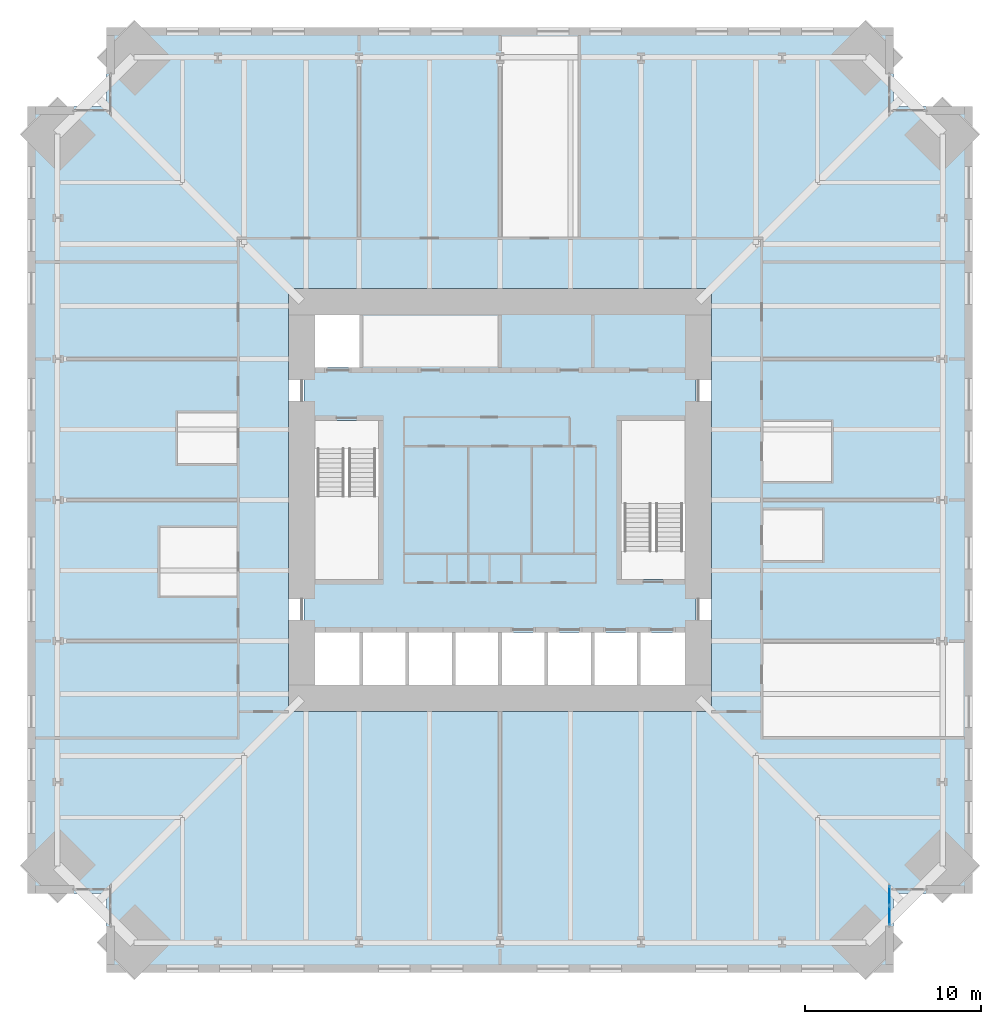
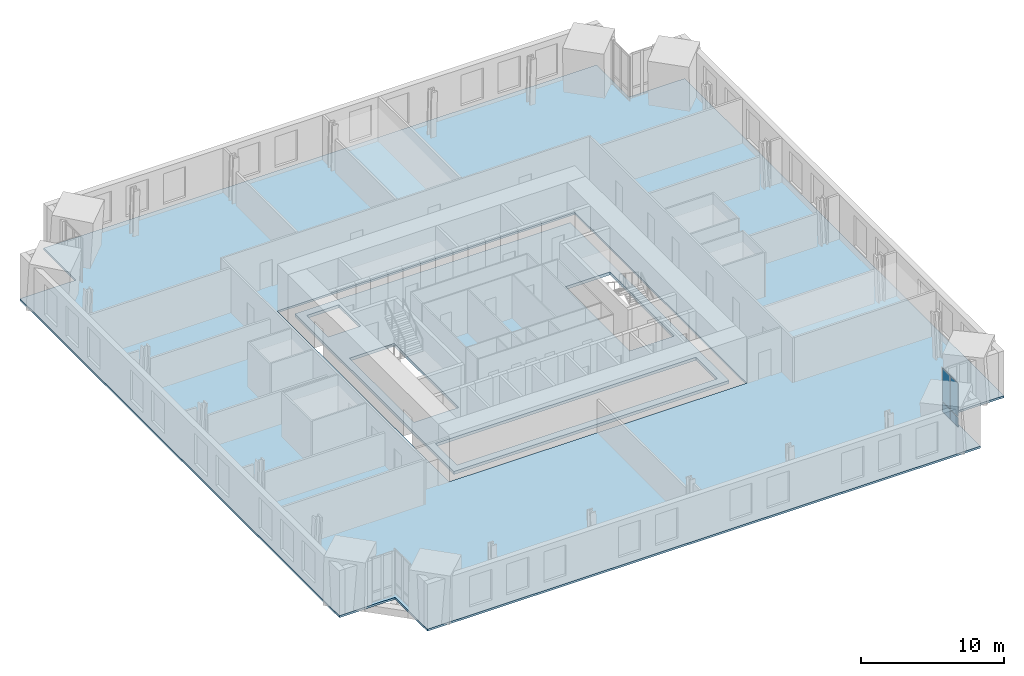
# One storey, part 10 of 17: 4 plates, 2 slabs, 1 element without a shape of its own.
"""IFC4 building model written with IfcOpenShell, lengths in metres."""

from ifc_helpers import new_model, si_unit, direction, frame, origin, origin_2d, place, context, subcontext, project, spatial, polyline, rectangle, outline, extrude, material, layer, layer_set, type_object, element, aggregate, save


model = new_model("IFC4")

# Units and contexts
model_context = context("Model", 3, precision=1e-05, world=origin(), true_north=direction((0.0, 1.0)))
body_context = subcontext(model_context, "Body", "Model", "MODEL_VIEW")
ifc_project = project(units=[si_unit("LENGTHUNIT", "METRE"), si_unit("AREAUNIT", "SQUARE_METRE"), si_unit("VOLUMEUNIT", "CUBIC_METRE"), si_unit("PLANEANGLEUNIT", "RADIAN"), si_unit("MASSUNIT", "GRAM", prefix="KILO")], contexts=[model_context])

# Site, building, storey
site_placement = place(None, origin())
site = spatial("IfcSite", under=ifc_project, at=site_placement, CompositionType="ELEMENT")
building_placement = place(site_placement, origin())
building = spatial("IfcBuilding", under=site, at=building_placement, Name="Peilmerk Tower", CompositionType="ELEMENT")
storey_placement = place(building_placement, frame((0.0, 0.0, 143.800048828125)))
storey = spatial("IfcBuildingStorey", under=building, at=storey_placement, Name="L29", CompositionType="ELEMENT", Elevation=143.800048828125)

# Slab
ifc_material_1 = material(Name="Concrete C55/67", Category="concrete")
ifc_layer_1 = layer(ifc_material_1, 0.25)
ifc_layer_set_1 = layer_set([ifc_layer_1], Name="Concrete C55/67")
slab_type_1 = type_object("IfcSlabType", Name="CS250 250 core floor slab", PredefinedType="FLOOR", material=ifc_layer_set_1)
slab_1_placement = place(storey_placement, frame((0.0, 0.0, -0.25)))
element("IfcSlab", 1, at=slab_1_placement, inside=storey, type_object=slab_type_1, Name="Core slab L29", PredefinedType="FLOOR", context=body_context, shape_type="SweptSolid", body=[
    extrude(outline(polyline([(11.10009765625, 11.10009765625), (-11.10009765625, 11.10009765625), (-11.10009765625, -11.10009765625), (11.10009765625, -11.10009765625), (11.10009765625, 11.10009765625)]), holes=[polyline([(-10.5, 7.5), (-10.5, 10.5), (-7.875, 10.5), (-7.875, 7.5), (-10.5, 7.5)]), polyline([(-10.5, -10.5), (-10.5, -7.5), (10.5, -7.5), (10.5, -10.5), (-10.5, -10.5)]), polyline([(-10.5, 4.5), (-6.89990234375, 4.5), (-6.89990234375, -4.5), (-10.5, -4.5), (-10.5, 4.5)]), polyline([(10.5, 4.5), (10.5, -4.5), (6.89990234375, -4.5), (6.89990234375, 4.5), (10.5, 4.5)])]), origin(), (0.0, 0.0, 1.0), 0.25),
])

# Curtain wall, plates
ifc_material_2 = material(Name="Aluminium stick curtain wall", Category="aluminium")
curtain_wall_type = type_object("IfcCurtainWallType", Name="CW3 stick curtain wall, 2250 module", PredefinedType="NOTDEFINED", material=ifc_material_2)
curtain_wall_placement = place(storey_placement, origin())
curtain_wall = element("IfcCurtainWall", 2, at=curtain_wall_placement, inside=storey, type_object=curtain_wall_type, Name="Curtain wall CW3 SEA L29", PredefinedType="NOTDEFINED")
ifc_material_3 = material(Name="Clear insulated glazing unit", Category="glass")
ifc_layer_2 = layer(ifc_material_3, 0.028076171875)
ifc_layer_set_2 = layer_set([ifc_layer_2], Name="Clear insulated glazing unit")
plate_type = type_object("IfcPlateType", Name="CW3-P 28 glazed panel", PredefinedType="CURTAIN_PANEL", material=ifc_layer_set_2)
plate_1_placement = place(storey_placement, frame((22.074951171875, -22.4384765625, 0.06494140625), z_axis=(0.0, 0.0, 1.0), x_axis=(0.0, -1.0, 0.0)))
plate_1 = element("IfcPlate", 3, at=plate_1_placement, type_object=plate_type, Name="CW3 panel 1.1", PredefinedType="CURTAIN_PANEL", context=body_context, shape_type="SweptSolid", body=[
    extrude(rectangle(XDim=1.046875, YDim=0.028076171875, at=origin_2d()), origin(), (0.0, 0.0, 1.0), 0.802490234375),
])
plate_2_placement = place(storey_placement, frame((22.074951171875, -22.4384765625, 0.932373046875), z_axis=(0.0, 0.0, 1.0), x_axis=(0.0, -1.0, 0.0)))
plate_2 = element("IfcPlate", 4, at=plate_2_placement, type_object=plate_type, Name="CW3 panel 1.2", PredefinedType="CURTAIN_PANEL", context=body_context, shape_type="SweptSolid", body=[
    extrude(rectangle(XDim=1.046875, YDim=0.028076171875, at=origin_2d()), origin(), (0.0, 0.0, 1.0), 2.83251953125),
])
plate_3_placement = place(storey_placement, frame((22.074951171875, -23.55029296875, 0.06494140625), z_axis=(0.0, 0.0, 1.0), x_axis=(0.0, -1.0, 0.0)))
plate_3 = element("IfcPlate", 5, at=plate_3_placement, type_object=plate_type, Name="CW3 panel 2.1", PredefinedType="CURTAIN_PANEL", context=body_context, shape_type="SweptSolid", body=[
    extrude(rectangle(XDim=1.046875, YDim=0.028076171875, at=origin_2d()), origin(), (0.0, 0.0, 1.0), 0.802490234375),
])
plate_4_placement = place(storey_placement, frame((22.074951171875, -23.55029296875, 0.932373046875), z_axis=(0.0, 0.0, 1.0), x_axis=(0.0, -1.0, 0.0)))
plate_4 = element("IfcPlate", 6, at=plate_4_placement, type_object=plate_type, Name="CW3 panel 2.2", PredefinedType="CURTAIN_PANEL", context=body_context, shape_type="SweptSolid", body=[
    extrude(rectangle(XDim=1.046875, YDim=0.028076171875, at=origin_2d()), origin(), (0.0, 0.0, 1.0), 2.83251953125),
])
aggregate(curtain_wall, [plate_1, plate_2, plate_3, plate_4])

# Slab
ifc_material_4 = material(Name="Concrete C35/45", Category="concrete")
ifc_layer_3 = layer(ifc_material_4, 0.169921875)
ifc_layer_set_3 = layer_set([ifc_layer_3], Name="Concrete C35/45")
slab_type_2 = type_object("IfcSlabType", Name="FS170 170 composite floor slab", PredefinedType="FLOOR", material=ifc_layer_set_3)
slab_2_placement = place(storey_placement, frame((0.0, 0.0, -0.170166015625)))
element("IfcSlab", 7, at=slab_2_placement, inside=storey, type_object=slab_type_2, Name="Floor slab L29", PredefinedType="FLOOR", context=body_context, shape_type="SweptSolid", body=[
    extrude(outline(polyline([(-22.300048828125, -26.800048828125), (22.300048828125, -26.800048828125), (22.300048828125, -22.300048828125), (26.800048828125, -22.300048828125), (26.800048828125, 22.300048828125), (22.300048828125, 22.300048828125), (22.300048828125, 26.800048828125), (-22.300048828125, 26.800048828125), (-22.300048828125, 22.300048828125), (-26.800048828125, 22.300048828125), (-26.800048828125, -22.300048828125), (-22.300048828125, -22.300048828125), (-22.300048828125, -26.800048828125)]), holes=[polyline([(12.0, 12.0), (12.0, -12.0), (-12.0, -12.0), (-12.0, 12.0), (12.0, 12.0)])]), origin(), (0.0, 0.0, 1.0), 0.170166015625),
])

save(model, "model.ifc")
